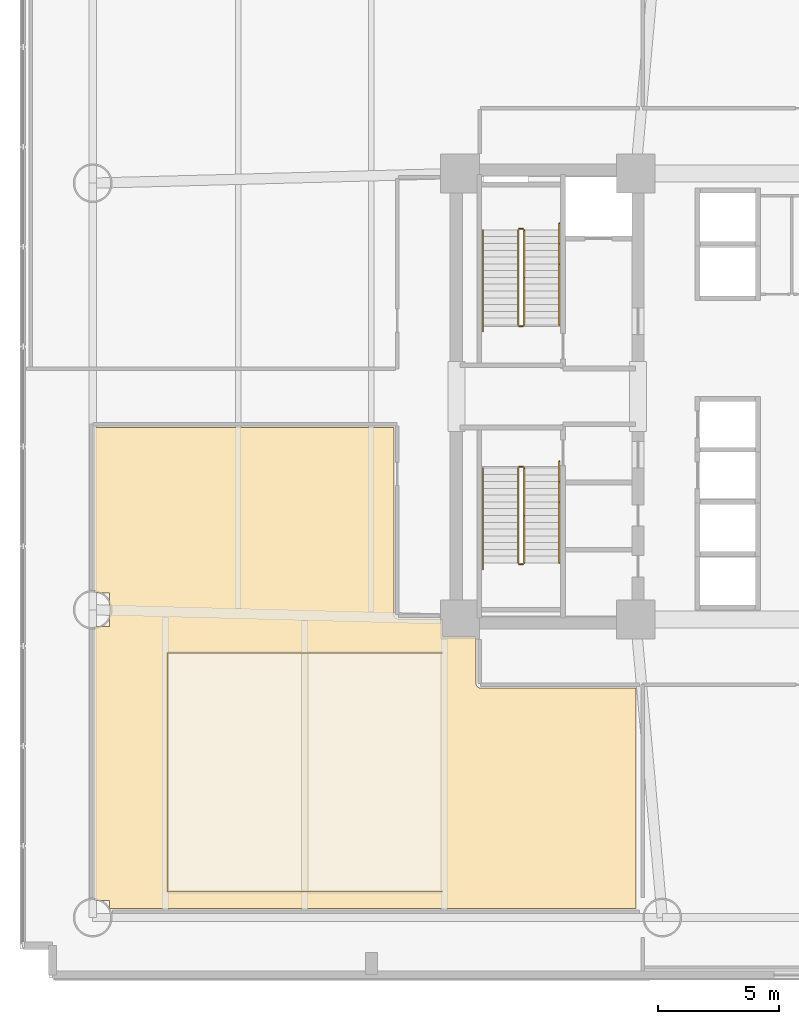
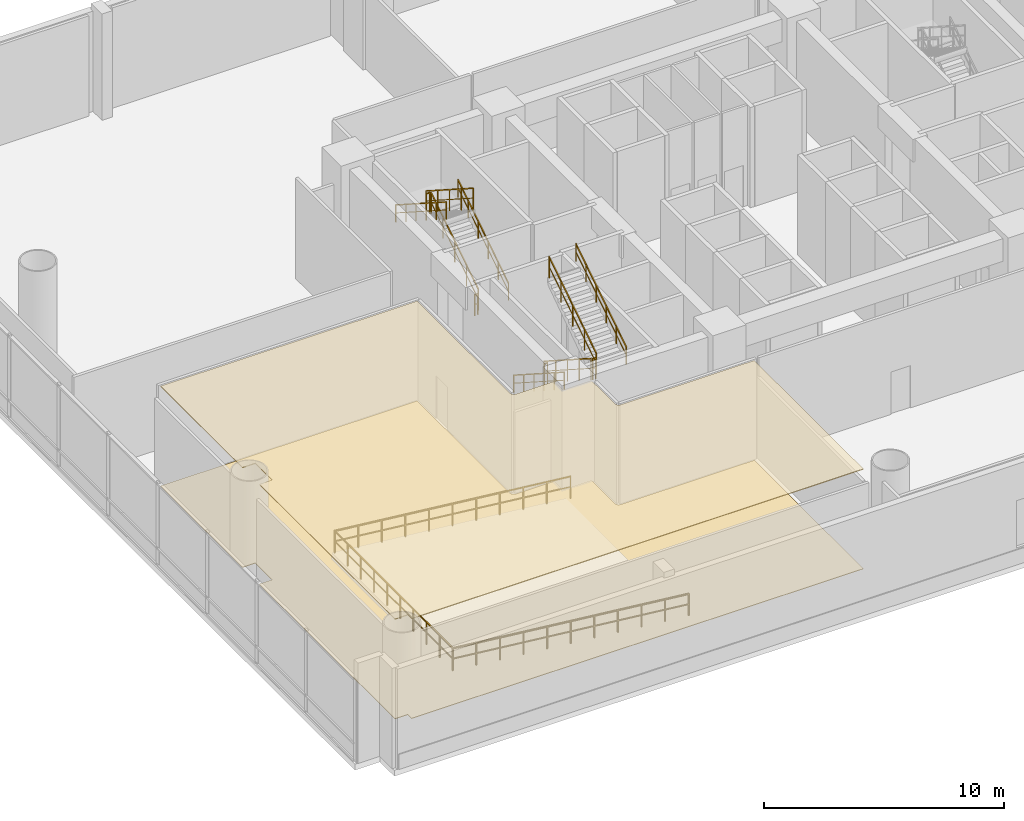
# One storey, part 12 of 15: 15 railings, 2 coverings.
"""IFC4 building model written with IfcOpenShell, lengths in metres."""

from ifc_helpers import new_model, si_unit, direction, frame, origin, origin_2d, place, context, subcontext, project, spatial, polyline, rectangle, outline, extrude, material, layer, layer_set, type_object, element, save


model = new_model("IFC4")

# Units and contexts
model_context = context("Model", 3, precision=1e-05, world=origin(), true_north=direction((0.0, 1.0)))
body_context = subcontext(model_context, "Body", "Model", "MODEL_VIEW")
ifc_project = project(units=[si_unit("LENGTHUNIT", "METRE"), si_unit("AREAUNIT", "SQUARE_METRE"), si_unit("VOLUMEUNIT", "CUBIC_METRE"), si_unit("PLANEANGLEUNIT", "RADIAN"), si_unit("MASSUNIT", "GRAM", prefix="KILO")], contexts=[model_context])

# Site, building, storey
site_placement = place(None, origin())
site = spatial("IfcSite", under=ifc_project, at=site_placement, CompositionType="ELEMENT")
building_placement = place(site_placement, origin())
building = spatial("IfcBuilding", under=site, at=building_placement, Name="Zahravan Cultural Tower", CompositionType="ELEMENT")
storey_placement = place(building_placement, frame((0.0, 0.0, 12.60009765625)))
storey = spatial("IfcBuildingStorey", under=building, at=storey_placement, Name="L02", CompositionType="ELEMENT", Elevation=12.60009765625)

# Coverings
ifc_material_1 = material(Name="Acoustic mineral fibreboard")
ifc_layer_1 = layer(ifc_material_1, 0.0400390625)
ifc_layer_set_1 = layer_set([ifc_layer_1], Name="Acoustic mineral fibreboard")
covering_type_1 = type_object("IfcCoveringType", Name="COV-CEIL-AC20", PredefinedType="CEILING", material=ifc_layer_set_1)
covering_1_placement = place(storey_placement, frame((0.0, 0.0, 5.059814453125)))
element("IfcCovering", 1, at=covering_1_placement, inside=storey, type_object=covering_type_1, Name="L02 Acoustic Suspended Ceiling", PredefinedType="CEILING", context=body_context, shape_type="SweptSolid", body=[
    extrude(outline(polyline([(20.949951171875, 17.10009765625), (20.949951171875, 17.820068359375), (19.092041015625, 17.820068359375), (19.032470703125, 17.831787109375), (18.9833984375, 17.861328125), (18.938720703125, 17.916015625), (18.919921875, 17.989990234375), (18.919921875, 25.719970703125), (6.580078125, 25.719970703125), (6.580078125, 18.89990234375), (7.199951171875, 18.89990234375), (7.199951171875, 17.5), (6.580078125, 17.5), (6.580078125, 6.199951171875), (7.199951171875, 6.199951171875), (7.199951171875, 5.8798828125), (28.919921875, 5.8798828125), (28.919921875, 14.969970703125), (22.4921875, 14.969970703125), (22.432373046875, 14.981689453125), (22.383544921875, 15.01123046875), (22.33984375, 15.064453125), (22.320556640625, 15.12841796875), (22.320068359375, 17.10009765625), (20.949951171875, 17.10009765625)])), origin(), (0.0, 0.0, 1.0), 0.0400390625),
])
ifc_material_2 = material(Name="Terrazzo flooring")
ifc_layer_2 = layer(ifc_material_2, 0.02490234375)
ifc_layer_set_2 = layer_set([ifc_layer_2], Name="Terrazzo flooring")
covering_type_2 = type_object("IfcCoveringType", Name="COV-FLR-TZ25", PredefinedType="FLOORING", material=ifc_layer_set_2)
covering_2_placement = place(storey_placement, origin())
element("IfcCovering", 2, at=covering_2_placement, inside=storey, type_object=covering_type_2, Name="L02 Polished Terrazzo Flooring", PredefinedType="FLOORING", context=body_context, shape_type="SweptSolid", body=[
    extrude(outline(polyline([(20.949951171875, 17.10009765625), (20.949951171875, 17.820068359375), (19.092041015625, 17.820068359375), (19.032470703125, 17.831787109375), (18.9833984375, 17.861328125), (18.938720703125, 17.916015625), (18.919921875, 17.989990234375), (18.919921875, 25.719970703125), (6.580078125, 25.719970703125), (6.580078125, 18.89990234375), (7.199951171875, 18.89990234375), (7.199951171875, 17.5), (6.580078125, 17.5), (6.580078125, 6.199951171875), (7.199951171875, 6.199951171875), (7.199951171875, 5.8798828125), (28.919921875, 5.8798828125), (28.919921875, 14.969970703125), (22.4921875, 14.969970703125), (22.432373046875, 14.981689453125), (22.383544921875, 15.01123046875), (22.33984375, 15.064453125), (22.320556640625, 15.12841796875), (22.320068359375, 17.10009765625), (20.949951171875, 17.10009765625)])), origin(), (0.0, 0.0, 1.0), 0.02490234375),
])

# Railings
ifc_material_3 = material(Name="Steel ASTM A572 Grade 50", Category="steel")
railing_type_1 = type_object("IfcRailingType", Name="RL-BAL-1150", PredefinedType="BALUSTRADE", material=ifc_material_3)
railing_1_placement = place(storey_placement, frame((20.919921875, 6.580078125, 0.0)))
element("IfcRailing", 3, at=railing_1_placement, inside=storey, type_object=railing_type_1, Name="L02 Auditorium Bowl Balustrade 1", PredefinedType="BALUSTRADE", context=body_context, shape_type="SweptSolid", body=[
    extrude(rectangle(XDim=0.05, YDim=0.05, at=origin_2d()), frame((0.0, 0.0, 1.125), z_axis=(-0.994447936744, 0.0, 0.105229753899), x_axis=(0.0, -1.0, 0.0)), (0.0, 0.0, 1.0), 11.403076171875),
    extrude(rectangle(XDim=0.032, YDim=0.032, at=origin_2d()), frame((0.0, 0.0, 0.597900390625), z_axis=(-0.994447936744, 0.0, 0.105229753899), x_axis=(0.0, -1.0, 0.0)), (0.0, 0.0, 1.0), 11.403076171875),
    extrude(rectangle(XDim=0.04, YDim=0.04, at=origin_2d()), origin(), (0.0, 0.0, 1.0), 1.14990234375),
    extrude(rectangle(XDim=0.04, YDim=0.04, at=origin_2d()), frame((-1.134033203125, 0.0, 0.1201171875)), (0.0, 0.0, 1.0), 1.14990234375),
    extrude(rectangle(XDim=0.04, YDim=0.04, at=origin_2d()), frame((-2.26806640625, 0.0, 0.239990234375)), (0.0, 0.0, 1.0), 1.14990234375),
    extrude(rectangle(XDim=0.04, YDim=0.04, at=origin_2d()), frame((-3.40185546875, 0.0, 0.35986328125)), (0.0, 0.0, 1.0), 1.14990234375),
    extrude(rectangle(XDim=0.04, YDim=0.04, at=origin_2d()), frame((-4.535888671875, 0.0, 0.47998046875)), (0.0, 0.0, 1.0), 1.14990234375),
    extrude(rectangle(XDim=0.04, YDim=0.04, at=origin_2d()), frame((-5.669921875, 0.0, 0.60009765625)), (0.0, 0.0, 1.0), 1.14990234375),
    extrude(rectangle(XDim=0.04, YDim=0.04, at=origin_2d()), frame((-6.803955078125, 0.0, 0.719970703125)), (0.0, 0.0, 1.0), 1.14990234375),
    extrude(rectangle(XDim=0.04, YDim=0.04, at=origin_2d()), frame((-7.93798828125, 0.0, 0.83984375)), (0.0, 0.0, 1.0), 1.14990234375),
    extrude(rectangle(XDim=0.04, YDim=0.04, at=origin_2d()), frame((-9.07177734375, 0.0, 0.9599609375)), (0.0, 0.0, 1.0), 1.14990234375),
    extrude(rectangle(XDim=0.04, YDim=0.04, at=origin_2d()), frame((-10.205810546875, 0.0, 1.080078125)), (0.0, 0.0, 1.0), 1.14990234375),
    extrude(rectangle(XDim=0.04, YDim=0.04, at=origin_2d()), frame((-11.33984375, 0.0, 1.199951171875)), (0.0, 0.0, 1.0), 1.14990234375),
])
railing_2_placement = place(storey_placement, frame((9.580078125, 6.580078125, 1.199951171875)))
element("IfcRailing", 4, at=railing_2_placement, inside=storey, type_object=railing_type_1, Name="L02 Auditorium Bowl Balustrade 2", PredefinedType="BALUSTRADE", context=body_context, shape_type="SweptSolid", body=[
    extrude(rectangle(XDim=0.05, YDim=0.05, at=origin_2d()), frame((0.0, 0.0, 1.125), z_axis=(0.0, 1.0, 0.0), x_axis=(-1.0, 0.0, 0.0)), (0.0, 0.0, 1.0), 9.83984375),
    extrude(rectangle(XDim=0.032, YDim=0.032, at=origin_2d()), frame((0.0, 0.0, 0.597900390625), z_axis=(0.0, 1.0, 0.0), x_axis=(-1.0, 0.0, 0.0)), (0.0, 0.0, 1.0), 9.83984375),
    extrude(rectangle(XDim=0.04, YDim=0.04, at=origin_2d()), origin(), (0.0, 0.0, 1.0), 1.14990234375),
    extrude(rectangle(XDim=0.04, YDim=0.04, at=origin_2d()), frame((0.0, 1.09326171875, 0.0)), (0.0, 0.0, 1.0), 1.14990234375),
    extrude(rectangle(XDim=0.04, YDim=0.04, at=origin_2d()), frame((0.0, 2.1865234375, 0.0)), (0.0, 0.0, 1.0), 1.14990234375),
    extrude(rectangle(XDim=0.04, YDim=0.04, at=origin_2d()), frame((0.0, 3.280029296875, 0.0)), (0.0, 0.0, 1.0), 1.14990234375),
    extrude(rectangle(XDim=0.04, YDim=0.04, at=origin_2d()), frame((0.0, 4.373291015625, 0.0)), (0.0, 0.0, 1.0), 1.14990234375),
    extrude(rectangle(XDim=0.04, YDim=0.04, at=origin_2d()), frame((0.0, 5.466552734375, 0.0)), (0.0, 0.0, 1.0), 1.14990234375),
    extrude(rectangle(XDim=0.04, YDim=0.04, at=origin_2d()), frame((0.0, 6.559814453125, 0.0)), (0.0, 0.0, 1.0), 1.14990234375),
    extrude(rectangle(XDim=0.04, YDim=0.04, at=origin_2d()), frame((0.0, 7.6533203125, 0.0)), (0.0, 0.0, 1.0), 1.14990234375),
    extrude(rectangle(XDim=0.04, YDim=0.04, at=origin_2d()), frame((0.0, 8.74658203125, 0.0)), (0.0, 0.0, 1.0), 1.14990234375),
    extrude(rectangle(XDim=0.04, YDim=0.04, at=origin_2d()), frame((0.0, 9.83984375, 0.0)), (0.0, 0.0, 1.0), 1.14990234375),
])
railing_3_placement = place(storey_placement, frame((9.580078125, 16.419921875, 1.199951171875)))
element("IfcRailing", 5, at=railing_3_placement, inside=storey, type_object=railing_type_1, Name="L02 Auditorium Bowl Balustrade 3", PredefinedType="BALUSTRADE", context=body_context, shape_type="SweptSolid", body=[
    extrude(rectangle(XDim=0.05, YDim=0.05, at=origin_2d()), frame((0.0, 0.0, 1.125), z_axis=(0.994447936744, 0.0, -0.105229753899), x_axis=(0.0, 1.0, 0.0)), (0.0, 0.0, 1.0), 11.403076171875),
    extrude(rectangle(XDim=0.032, YDim=0.032, at=origin_2d()), frame((0.0, 0.0, 0.597900390625), z_axis=(0.994447936744, 0.0, -0.105229753899), x_axis=(0.0, 1.0, 0.0)), (0.0, 0.0, 1.0), 11.403076171875),
    extrude(rectangle(XDim=0.04, YDim=0.04, at=origin_2d()), origin(), (0.0, 0.0, 1.0), 1.14990234375),
    extrude(rectangle(XDim=0.04, YDim=0.04, at=origin_2d()), frame((1.134033203125, 0.0, -0.1201171875)), (0.0, 0.0, 1.0), 1.14990234375),
    extrude(rectangle(XDim=0.04, YDim=0.04, at=origin_2d()), frame((2.26806640625, 0.0, -0.239990234375)), (0.0, 0.0, 1.0), 1.14990234375),
    extrude(rectangle(XDim=0.04, YDim=0.04, at=origin_2d()), frame((3.40185546875, 0.0, -0.35986328125)), (0.0, 0.0, 1.0), 1.14990234375),
    extrude(rectangle(XDim=0.04, YDim=0.04, at=origin_2d()), frame((4.535888671875, 0.0, -0.47998046875)), (0.0, 0.0, 1.0), 1.14990234375),
    extrude(rectangle(XDim=0.04, YDim=0.04, at=origin_2d()), frame((5.669921875, 0.0, -0.60009765625)), (0.0, 0.0, 1.0), 1.14990234375),
    extrude(rectangle(XDim=0.04, YDim=0.04, at=origin_2d()), frame((6.803955078125, 0.0, -0.719970703125)), (0.0, 0.0, 1.0), 1.14990234375),
    extrude(rectangle(XDim=0.04, YDim=0.04, at=origin_2d()), frame((7.93798828125, 0.0, -0.83984375)), (0.0, 0.0, 1.0), 1.14990234375),
    extrude(rectangle(XDim=0.04, YDim=0.04, at=origin_2d()), frame((9.07177734375, 0.0, -0.9599609375)), (0.0, 0.0, 1.0), 1.14990234375),
    extrude(rectangle(XDim=0.04, YDim=0.04, at=origin_2d()), frame((10.205810546875, 0.0, -1.080078125)), (0.0, 0.0, 1.0), 1.14990234375),
    extrude(rectangle(XDim=0.04, YDim=0.04, at=origin_2d()), frame((11.33984375, 0.0, -1.199951171875)), (0.0, 0.0, 1.0), 1.14990234375),
])
railing_type_2 = type_object("IfcRailingType", Name="RL-STAIR-GRD1150", PredefinedType="BALUSTRADE", material=ifc_material_3)
railing_4_placement = place(storey_placement, frame((24.300048828125, 29.949951171875, 0.179931640625)))
element("IfcRailing", 6, at=railing_4_placement, inside=storey, type_object=railing_type_2, Name="L02 ST-W1 stair guard 1", PredefinedType="BALUSTRADE", context=body_context, shape_type="SweptSolid", body=[
    extrude(rectangle(XDim=0.05, YDim=0.05, at=origin_2d()), frame((0.0, 0.0, 1.0751953125), z_axis=(0.0, 0.841186985886, 0.540744352514), x_axis=(-1.0, 0.0, 0.0)), (0.0, 0.0, 1.0), 4.660400390625),
    extrude(rectangle(XDim=0.032, YDim=0.032, at=origin_2d()), frame((0.0, 0.0, 0.572021484375), z_axis=(0.0, 0.841186985886, 0.540744352514), x_axis=(-1.0, 0.0, 0.0)), (0.0, 0.0, 1.0), 4.660400390625),
    extrude(rectangle(XDim=0.04, YDim=0.04, at=origin_2d()), origin(), (0.0, 0.0, 1.0), 1.10009765625),
    extrude(rectangle(XDim=0.04, YDim=0.04, at=origin_2d()), frame((0.0, 0.97998046875, 0.6298828125)), (0.0, 0.0, 1.0), 1.10009765625),
    extrude(rectangle(XDim=0.04, YDim=0.04, at=origin_2d()), frame((0.0, 1.9599609375, 1.260009765625)), (0.0, 0.0, 1.0), 1.10009765625),
    extrude(rectangle(XDim=0.04, YDim=0.04, at=origin_2d()), frame((0.0, 2.940185546875, 1.89013671875)), (0.0, 0.0, 1.0), 1.10009765625),
    extrude(rectangle(XDim=0.04, YDim=0.04, at=origin_2d()), frame((0.0, 3.920166015625, 2.52001953125)), (0.0, 0.0, 1.0), 1.10009765625),
])
railing_5_placement = place(storey_placement, frame((24.25, 33.919921875, 2.699951171875)))
element("IfcRailing", 7, at=railing_5_placement, inside=storey, type_object=railing_type_2, Name="L02 ST-W1 stair guard 2", PredefinedType="BALUSTRADE", context=body_context, shape_type="SweptSolid", body=[
    extrude(rectangle(XDim=0.05, YDim=0.05, at=origin_2d()), frame((0.0, 0.0, 1.0751953125), z_axis=(-1.0, 0.0, 0.0), x_axis=(0.0, -1.0, 0.0)), (0.0, 0.0, 1.0), 0.14990234375),
    extrude(rectangle(XDim=0.032, YDim=0.032, at=origin_2d()), frame((0.0, 0.0, 0.572021484375), z_axis=(-1.0, 0.0, 0.0), x_axis=(0.0, -1.0, 0.0)), (0.0, 0.0, 1.0), 0.14990234375),
    extrude(rectangle(XDim=0.04, YDim=0.04, at=origin_2d()), origin(), (0.0, 0.0, 1.0), 1.10009765625),
    extrude(rectangle(XDim=0.04, YDim=0.04, at=origin_2d()), frame((-0.14990234375, 0.0, 0.0)), (0.0, 0.0, 1.0), 1.10009765625),
])
railing_6_placement = place(storey_placement, frame((24.050048828125, 33.8701171875, 2.8798828125)))
element("IfcRailing", 8, at=railing_6_placement, inside=storey, type_object=railing_type_2, Name="L02 ST-W1 stair guard 3", PredefinedType="BALUSTRADE", context=body_context, shape_type="SweptSolid", body=[
    extrude(rectangle(XDim=0.05, YDim=0.05, at=origin_2d()), frame((0.0, 0.0, 1.0751953125), z_axis=(0.0, -0.841186985886, 0.540744352514), x_axis=(1.0, 0.0, 0.0)), (0.0, 0.0, 1.0), 4.660400390625),
    extrude(rectangle(XDim=0.032, YDim=0.032, at=origin_2d()), frame((0.0, 0.0, 0.572021484375), z_axis=(0.0, -0.841186985886, 0.540744352514), x_axis=(1.0, 0.0, 0.0)), (0.0, 0.0, 1.0), 4.660400390625),
    extrude(rectangle(XDim=0.04, YDim=0.04, at=origin_2d()), origin(), (0.0, 0.0, 1.0), 1.10009765625),
    extrude(rectangle(XDim=0.04, YDim=0.04, at=origin_2d()), frame((0.0, -0.97998046875, 0.6298828125)), (0.0, 0.0, 1.0), 1.10009765625),
    extrude(rectangle(XDim=0.04, YDim=0.04, at=origin_2d()), frame((0.0, -1.9599609375, 1.260009765625)), (0.0, 0.0, 1.0), 1.10009765625),
    extrude(rectangle(XDim=0.04, YDim=0.04, at=origin_2d()), frame((0.0, -2.940185546875, 1.89013671875)), (0.0, 0.0, 1.0), 1.10009765625),
    extrude(rectangle(XDim=0.04, YDim=0.04, at=origin_2d()), frame((0.0, -3.920166015625, 2.52001953125)), (0.0, 0.0, 1.0), 1.10009765625),
])
railing_7_placement = place(storey_placement, frame((24.25, 29.89990234375, 0.0)))
element("IfcRailing", 9, at=railing_7_placement, inside=storey, type_object=railing_type_2, Name="L02 ST-W1 stair guard 4", PredefinedType="BALUSTRADE", context=body_context, shape_type="SweptSolid", body=[
    extrude(rectangle(XDim=0.05, YDim=0.05, at=origin_2d()), frame((0.0, 0.0, 1.0751953125), z_axis=(-1.0, 0.0, 0.0), x_axis=(0.0, -1.0, 0.0)), (0.0, 0.0, 1.0), 0.14990234375),
    extrude(rectangle(XDim=0.032, YDim=0.032, at=origin_2d()), frame((0.0, 0.0, 0.572021484375), z_axis=(-1.0, 0.0, 0.0), x_axis=(0.0, -1.0, 0.0)), (0.0, 0.0, 1.0), 0.14990234375),
    extrude(rectangle(XDim=0.04, YDim=0.04, at=origin_2d()), origin(), (0.0, 0.0, 1.0), 1.10009765625),
    extrude(rectangle(XDim=0.04, YDim=0.04, at=origin_2d()), frame((-0.14990234375, 0.0, 0.0)), (0.0, 0.0, 1.0), 1.10009765625),
])
railing_8_placement = place(storey_placement, frame((24.050048828125, 24.050048828125, 0.179931640625)))
element("IfcRailing", 10, at=railing_8_placement, inside=storey, type_object=railing_type_2, Name="L02 ST-W2 stair guard 1", PredefinedType="BALUSTRADE", context=body_context, shape_type="SweptSolid", body=[
    extrude(rectangle(XDim=0.05, YDim=0.05, at=origin_2d()), frame((0.0, 0.0, 1.0751953125), z_axis=(0.0, -0.841186985886, 0.540744352514), x_axis=(1.0, 0.0, 0.0)), (0.0, 0.0, 1.0), 4.660400390625),
    extrude(rectangle(XDim=0.032, YDim=0.032, at=origin_2d()), frame((0.0, 0.0, 0.572021484375), z_axis=(0.0, -0.841186985886, 0.540744352514), x_axis=(1.0, 0.0, 0.0)), (0.0, 0.0, 1.0), 4.660400390625),
    extrude(rectangle(XDim=0.04, YDim=0.04, at=origin_2d()), origin(), (0.0, 0.0, 1.0), 1.10009765625),
    extrude(rectangle(XDim=0.04, YDim=0.04, at=origin_2d()), frame((0.0, -0.97998046875, 0.6298828125)), (0.0, 0.0, 1.0), 1.10009765625),
    extrude(rectangle(XDim=0.04, YDim=0.04, at=origin_2d()), frame((0.0, -1.9599609375, 1.260009765625)), (0.0, 0.0, 1.0), 1.10009765625),
    extrude(rectangle(XDim=0.04, YDim=0.04, at=origin_2d()), frame((0.0, -2.940185546875, 1.89013671875)), (0.0, 0.0, 1.0), 1.10009765625),
    extrude(rectangle(XDim=0.04, YDim=0.04, at=origin_2d()), frame((0.0, -3.920166015625, 2.52001953125)), (0.0, 0.0, 1.0), 1.10009765625),
])
railing_9_placement = place(storey_placement, frame((24.10009765625, 20.080078125, 2.699951171875)))
element("IfcRailing", 11, at=railing_9_placement, inside=storey, type_object=railing_type_2, Name="L02 ST-W2 stair guard 2", PredefinedType="BALUSTRADE", context=body_context, shape_type="SweptSolid", body=[
    extrude(rectangle(XDim=0.05, YDim=0.05, at=origin_2d()), frame((0.0, 0.0, 1.0751953125), z_axis=(1.0, 0.0, 0.0), x_axis=(0.0, 1.0, 0.0)), (0.0, 0.0, 1.0), 0.14990234375),
    extrude(rectangle(XDim=0.032, YDim=0.032, at=origin_2d()), frame((0.0, 0.0, 0.572021484375), z_axis=(1.0, 0.0, 0.0), x_axis=(0.0, 1.0, 0.0)), (0.0, 0.0, 1.0), 0.14990234375),
    extrude(rectangle(XDim=0.04, YDim=0.04, at=origin_2d()), origin(), (0.0, 0.0, 1.0), 1.10009765625),
    extrude(rectangle(XDim=0.04, YDim=0.04, at=origin_2d()), frame((0.14990234375, 0.0, 0.0)), (0.0, 0.0, 1.0), 1.10009765625),
])
railing_10_placement = place(storey_placement, frame((24.300048828125, 20.1298828125, 2.8798828125)))
element("IfcRailing", 12, at=railing_10_placement, inside=storey, type_object=railing_type_2, Name="L02 ST-W2 stair guard 3", PredefinedType="BALUSTRADE", context=body_context, shape_type="SweptSolid", body=[
    extrude(rectangle(XDim=0.05, YDim=0.05, at=origin_2d()), frame((0.0, 0.0, 1.0751953125), z_axis=(0.0, 0.841186985886, 0.540744352514), x_axis=(-1.0, 0.0, 0.0)), (0.0, 0.0, 1.0), 4.660400390625),
    extrude(rectangle(XDim=0.032, YDim=0.032, at=origin_2d()), frame((0.0, 0.0, 0.572021484375), z_axis=(0.0, 0.841186985886, 0.540744352514), x_axis=(-1.0, 0.0, 0.0)), (0.0, 0.0, 1.0), 4.660400390625),
    extrude(rectangle(XDim=0.04, YDim=0.04, at=origin_2d()), origin(), (0.0, 0.0, 1.0), 1.10009765625),
    extrude(rectangle(XDim=0.04, YDim=0.04, at=origin_2d()), frame((0.0, 0.97998046875, 0.6298828125)), (0.0, 0.0, 1.0), 1.10009765625),
    extrude(rectangle(XDim=0.04, YDim=0.04, at=origin_2d()), frame((0.0, 1.9599609375, 1.260009765625)), (0.0, 0.0, 1.0), 1.10009765625),
    extrude(rectangle(XDim=0.04, YDim=0.04, at=origin_2d()), frame((0.0, 2.940185546875, 1.89013671875)), (0.0, 0.0, 1.0), 1.10009765625),
    extrude(rectangle(XDim=0.04, YDim=0.04, at=origin_2d()), frame((0.0, 3.920166015625, 2.52001953125)), (0.0, 0.0, 1.0), 1.10009765625),
])
railing_11_placement = place(storey_placement, frame((24.10009765625, 24.10009765625, 0.0)))
element("IfcRailing", 13, at=railing_11_placement, inside=storey, type_object=railing_type_2, Name="L02 ST-W2 stair guard 4", PredefinedType="BALUSTRADE", context=body_context, shape_type="SweptSolid", body=[
    extrude(rectangle(XDim=0.05, YDim=0.05, at=origin_2d()), frame((0.0, 0.0, 1.0751953125), z_axis=(1.0, 0.0, 0.0), x_axis=(0.0, 1.0, 0.0)), (0.0, 0.0, 1.0), 0.14990234375),
    extrude(rectangle(XDim=0.032, YDim=0.032, at=origin_2d()), frame((0.0, 0.0, 0.572021484375), z_axis=(1.0, 0.0, 0.0), x_axis=(0.0, 1.0, 0.0)), (0.0, 0.0, 1.0), 0.14990234375),
    extrude(rectangle(XDim=0.04, YDim=0.04, at=origin_2d()), origin(), (0.0, 0.0, 1.0), 1.10009765625),
    extrude(rectangle(XDim=0.04, YDim=0.04, at=origin_2d()), frame((0.14990234375, 0.0, 0.0)), (0.0, 0.0, 1.0), 1.10009765625),
])
railing_type_3 = type_object("IfcRailingType", Name="RL-STAIR-HR900", PredefinedType="HANDRAIL", material=ifc_material_3)
railing_12_placement = place(storey_placement, frame((25.75, 29.949951171875, 0.179931640625)))
element("IfcRailing", 14, at=railing_12_placement, inside=storey, type_object=railing_type_3, Name="L02 ST-W1 stair handrail 1", PredefinedType="HANDRAIL", context=body_context, shape_type="SweptSolid", body=[
    extrude(rectangle(XDim=0.05, YDim=0.05, at=origin_2d()), frame((0.0, 0.0, 0.875), z_axis=(0.0, 0.841180064094, 0.540755119968), x_axis=(-1.0, 0.0, 0.0)), (0.0, 0.0, 1.0), 4.992919921875),
    extrude(rectangle(XDim=0.032, YDim=0.032, at=origin_2d()), frame((0.0, 0.0, 0.468017578125), z_axis=(0.0, 0.841180064094, 0.540755119968), x_axis=(-1.0, 0.0, 0.0)), (0.0, 0.0, 1.0), 4.992919921875),
    extrude(rectangle(XDim=0.04, YDim=0.04, at=origin_2d()), origin(), (0.0, 0.0, 1.0), 0.89990234375),
    extrude(rectangle(XDim=0.04, YDim=0.04, at=origin_2d()), frame((0.0, 0.840087890625, 0.5400390625)), (0.0, 0.0, 1.0), 0.89990234375),
    extrude(rectangle(XDim=0.04, YDim=0.04, at=origin_2d()), frame((0.0, 1.679931640625, 1.080078125)), (0.0, 0.0, 1.0), 0.89990234375),
    extrude(rectangle(XDim=0.04, YDim=0.04, at=origin_2d()), frame((0.0, 2.52001953125, 1.619873046875)), (0.0, 0.0, 1.0), 0.89990234375),
    extrude(rectangle(XDim=0.04, YDim=0.04, at=origin_2d()), frame((0.0, 3.35986328125, 2.159912109375)), (0.0, 0.0, 1.0), 0.89990234375),
    extrude(rectangle(XDim=0.04, YDim=0.04, at=origin_2d()), frame((0.0, 4.199951171875, 2.699951171875)), (0.0, 0.0, 1.0), 0.89990234375),
])
railing_13_placement = place(storey_placement, frame((22.60009765625, 33.8701171875, 2.8798828125)))
element("IfcRailing", 15, at=railing_13_placement, inside=storey, type_object=railing_type_3, Name="L02 ST-W1 stair handrail 2", PredefinedType="HANDRAIL", context=body_context, shape_type="SweptSolid", body=[
    extrude(rectangle(XDim=0.05, YDim=0.05, at=origin_2d()), frame((0.0, 0.0, 0.875), z_axis=(0.0, -0.841194361566, 0.540732878665), x_axis=(1.0, 0.0, 0.0)), (0.0, 0.0, 1.0), 4.9931640625),
    extrude(rectangle(XDim=0.032, YDim=0.032, at=origin_2d()), frame((0.0, 0.0, 0.468017578125), z_axis=(0.0, -0.841194361566, 0.540732878665), x_axis=(1.0, 0.0, 0.0)), (0.0, 0.0, 1.0), 4.9931640625),
    extrude(rectangle(XDim=0.04, YDim=0.04, at=origin_2d()), origin(), (0.0, 0.0, 1.0), 0.89990234375),
    extrude(rectangle(XDim=0.04, YDim=0.04, at=origin_2d()), frame((0.0, -0.840087890625, 0.5400390625)), (0.0, 0.0, 1.0), 0.89990234375),
    extrude(rectangle(XDim=0.04, YDim=0.04, at=origin_2d()), frame((0.0, -1.68017578125, 1.080078125)), (0.0, 0.0, 1.0), 0.89990234375),
    extrude(rectangle(XDim=0.04, YDim=0.04, at=origin_2d()), frame((0.0, -2.52001953125, 1.619873046875)), (0.0, 0.0, 1.0), 0.89990234375),
    extrude(rectangle(XDim=0.04, YDim=0.04, at=origin_2d()), frame((0.0, -3.360107421875, 2.159912109375)), (0.0, 0.0, 1.0), 0.89990234375),
    extrude(rectangle(XDim=0.04, YDim=0.04, at=origin_2d()), frame((0.0, -4.2001953125, 2.699951171875)), (0.0, 0.0, 1.0), 0.89990234375),
])
railing_14_placement = place(storey_placement, frame((22.60009765625, 24.050048828125, 0.179931640625)))
element("IfcRailing", 16, at=railing_14_placement, inside=storey, type_object=railing_type_3, Name="L02 ST-W2 stair handrail 1", PredefinedType="HANDRAIL", context=body_context, shape_type="SweptSolid", body=[
    extrude(rectangle(XDim=0.05, YDim=0.05, at=origin_2d()), frame((0.0, 0.0, 0.875), z_axis=(0.0, -0.841180064094, 0.540755119968), x_axis=(1.0, 0.0, 0.0)), (0.0, 0.0, 1.0), 4.992919921875),
    extrude(rectangle(XDim=0.032, YDim=0.032, at=origin_2d()), frame((0.0, 0.0, 0.468017578125), z_axis=(0.0, -0.841180064094, 0.540755119968), x_axis=(1.0, 0.0, 0.0)), (0.0, 0.0, 1.0), 4.992919921875),
    extrude(rectangle(XDim=0.04, YDim=0.04, at=origin_2d()), origin(), (0.0, 0.0, 1.0), 0.89990234375),
    extrude(rectangle(XDim=0.04, YDim=0.04, at=origin_2d()), frame((0.0, -0.840087890625, 0.5400390625)), (0.0, 0.0, 1.0), 0.89990234375),
    extrude(rectangle(XDim=0.04, YDim=0.04, at=origin_2d()), frame((0.0, -1.679931640625, 1.080078125)), (0.0, 0.0, 1.0), 0.89990234375),
    extrude(rectangle(XDim=0.04, YDim=0.04, at=origin_2d()), frame((0.0, -2.52001953125, 1.619873046875)), (0.0, 0.0, 1.0), 0.89990234375),
    extrude(rectangle(XDim=0.04, YDim=0.04, at=origin_2d()), frame((0.0, -3.35986328125, 2.159912109375)), (0.0, 0.0, 1.0), 0.89990234375),
    extrude(rectangle(XDim=0.04, YDim=0.04, at=origin_2d()), frame((0.0, -4.199951171875, 2.699951171875)), (0.0, 0.0, 1.0), 0.89990234375),
])
railing_15_placement = place(storey_placement, frame((25.75, 20.1298828125, 2.8798828125)))
element("IfcRailing", 17, at=railing_15_placement, inside=storey, type_object=railing_type_3, Name="L02 ST-W2 stair handrail 2", PredefinedType="HANDRAIL", context=body_context, shape_type="SweptSolid", body=[
    extrude(rectangle(XDim=0.05, YDim=0.05, at=origin_2d()), frame((0.0, 0.0, 0.875), z_axis=(0.0, 0.841194361566, 0.540732878665), x_axis=(-1.0, 0.0, 0.0)), (0.0, 0.0, 1.0), 4.9931640625),
    extrude(rectangle(XDim=0.032, YDim=0.032, at=origin_2d()), frame((0.0, 0.0, 0.468017578125), z_axis=(0.0, 0.841194361566, 0.540732878665), x_axis=(-1.0, 0.0, 0.0)), (0.0, 0.0, 1.0), 4.9931640625),
    extrude(rectangle(XDim=0.04, YDim=0.04, at=origin_2d()), origin(), (0.0, 0.0, 1.0), 0.89990234375),
    extrude(rectangle(XDim=0.04, YDim=0.04, at=origin_2d()), frame((0.0, 0.840087890625, 0.5400390625)), (0.0, 0.0, 1.0), 0.89990234375),
    extrude(rectangle(XDim=0.04, YDim=0.04, at=origin_2d()), frame((0.0, 1.68017578125, 1.080078125)), (0.0, 0.0, 1.0), 0.89990234375),
    extrude(rectangle(XDim=0.04, YDim=0.04, at=origin_2d()), frame((0.0, 2.52001953125, 1.619873046875)), (0.0, 0.0, 1.0), 0.89990234375),
    extrude(rectangle(XDim=0.04, YDim=0.04, at=origin_2d()), frame((0.0, 3.360107421875, 2.159912109375)), (0.0, 0.0, 1.0), 0.89990234375),
    extrude(rectangle(XDim=0.04, YDim=0.04, at=origin_2d()), frame((0.0, 4.2001953125, 2.699951171875)), (0.0, 0.0, 1.0), 0.89990234375),
])

save(model, "model.ifc")
